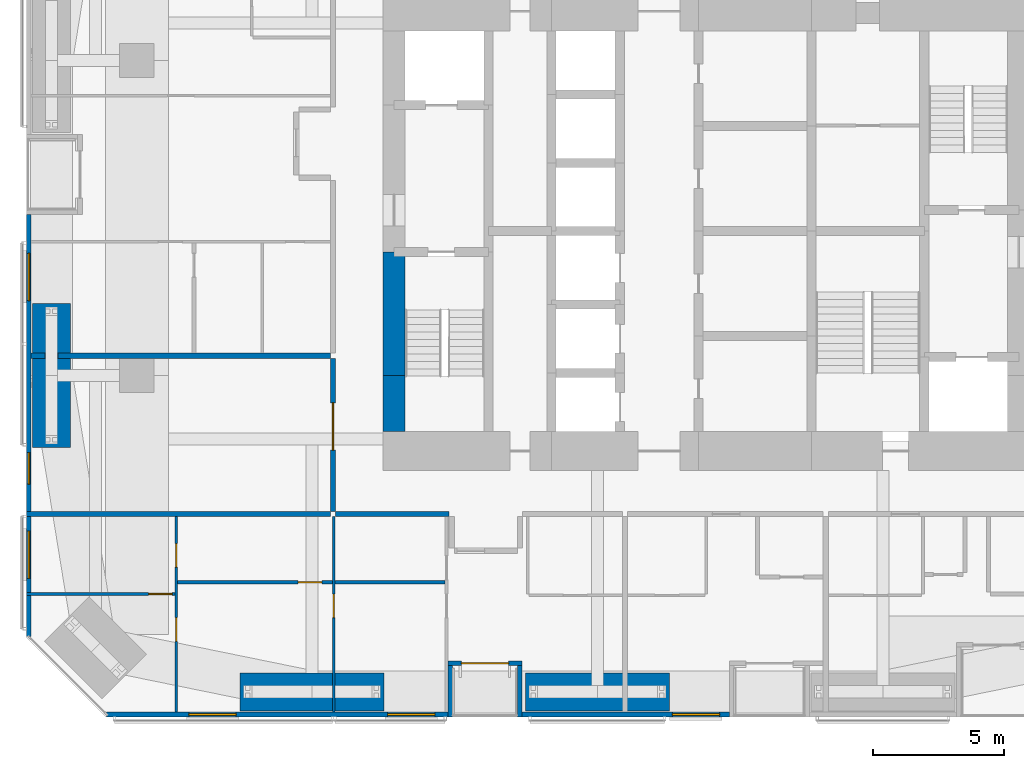
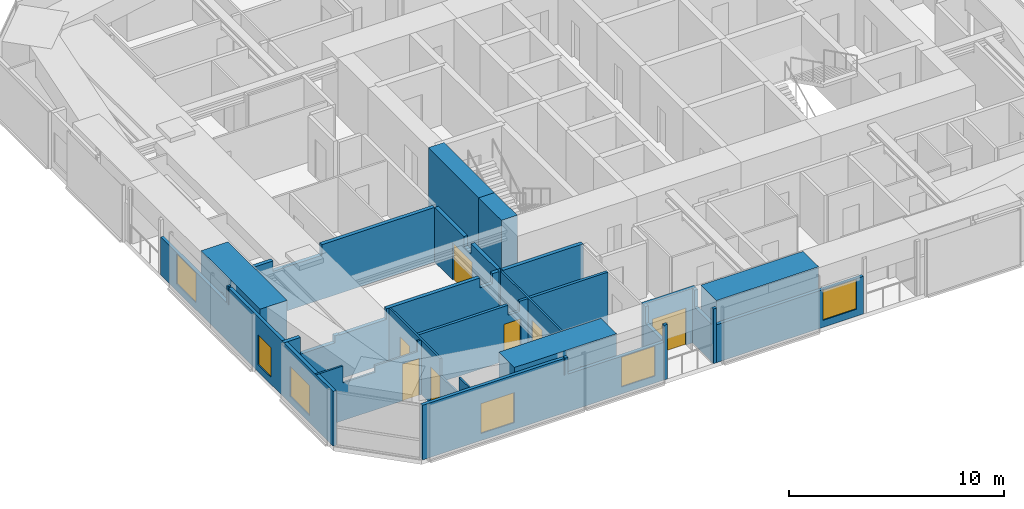
# One storey, part 17 of 25: 20 walls, 7 doors, 6 windows, 13 openings.
"""IFC4 building model written with IfcOpenShell, lengths in metres."""

from ifc_helpers import new_model, si_unit, direction, frame, frame_2d, origin, place, context, subcontext, project, spatial, polyline, rectangle, outline, extrude, material, layer, layer_set, constituent, constituent_set, type_object, element, fill, save


model = new_model("IFC4")

# Units and contexts
model_context = context("Model", 3, precision=1e-05, world=origin(), true_north=direction((0.0, 1.0)))
body_context = subcontext(model_context, "Body", "Model", "MODEL_VIEW")
ifc_project = project(units=[si_unit("LENGTHUNIT", "METRE"), si_unit("AREAUNIT", "SQUARE_METRE"), si_unit("VOLUMEUNIT", "CUBIC_METRE"), si_unit("PLANEANGLEUNIT", "RADIAN"), si_unit("MASSUNIT", "GRAM", prefix="KILO")], contexts=[model_context])

# Site, building, storey
site_placement = place(None, origin())
site = spatial("IfcSite", under=ifc_project, at=site_placement, CompositionType="ELEMENT")
building_placement = place(site_placement, origin())
building = spatial("IfcBuilding", under=site, at=building_placement, Name="Jalousie Tower", CompositionType="ELEMENT")
storey_placement = place(building_placement, frame((0.0, 0.0, 101.5)))
storey = spatial("IfcBuildingStorey", under=building, at=storey_placement, Name="L27", CompositionType="ELEMENT", Elevation=101.5)

# Wall, opening, door
ifc_material_1 = material(Name="Concrete block ASTM C90", Category="concrete")
ifc_constituent_1 = constituent(ifc_material_1, Name="Body")
ifc_material_2 = material(Name="Render")
ifc_constituent_2 = constituent(ifc_material_2, Name="Finish")
ifc_constituent_set_1 = constituent_set(constituents=[ifc_constituent_1, ifc_constituent_2])
wall_type_1 = type_object("IfcWallType", Name="BATHROOM WALL 150", PredefinedType="PLUMBINGWALL", material=ifc_constituent_set_1)
wall_1_placement = place(storey_placement, frame((11.75, 5.125, 0.0), z_axis=(0.0, 0.0, 1.0), x_axis=(1.0, 0.0, 0.0)))
wall_1 = element("IfcWall", 1, at=wall_1_placement, inside=storey, type_object=wall_type_1, Name="Bathroom Wall 150 L27", PredefinedType="PLUMBINGWALL", context=body_context, shape_type="SweptSolid", body=[
    extrude(outline(polyline([(0.0, 0.0), (5.89990234375, 0.0), (5.89990234375, 3.110107421875), (5.4375, 3.110107421875), (5.4375, 2.541015625), (4.8125, 2.541015625), (4.8125, 3.110107421875), (0.0, 3.110107421875), (0.0, 0.0)])), frame((0.0, 0.074951171875, 0.0), z_axis=(0.0, -1.0, 0.0), x_axis=(1.0, 0.0, 0.0)), (0.0, 0.0, 1.0), 0.14990234375),
])
opening_1_placement = place(wall_1_placement, frame((4.60009765625, 0.0, 0.0)))
opening_1 = element("IfcOpeningElement", 2, at=opening_1_placement, cuts=wall_1, Name="Opening D3", PredefinedType="OPENING", context=body_context, shape_type="SweptSolid", body=[
    extrude(rectangle(XDim=0.89990234375, YDim=2.10009765625, at=frame_2d((0.449951171875, 1.050048828125))), frame((0.0, 0.0849609375, 0.0), z_axis=(0.0, -1.0, 0.0), x_axis=(1.0, 0.0, 0.0)), (0.0, 0.0, 1.0), 0.169921875),
])
ifc_material_3 = material(Name="Timber door", Category="wood")
door_type_1 = type_object("IfcDoorType", Name="BATHROOM DOOR 900", OperationType="SINGLE_SWING_LEFT", PredefinedType="DOOR", material=ifc_material_3)
door_1_placement = place(opening_1_placement, origin())
door_1 = element("IfcDoor", 3, at=door_1_placement, inside=storey, type_object=door_type_1, Name="Apartment 2701 bedroom 2 bathroom door", OperationType="SINGLE_SWING_RIGHT", OverallHeight=2.10009765625, OverallWidth=0.89990234375, PredefinedType="DOOR", context=body_context, shape_type="SweptSolid", body=[
    extrude(rectangle(XDim=0.89990234375, YDim=2.10009765625, at=frame_2d((0.449951171875, 1.050048828125))), frame((0.0, 0.02490234375, 0.0), z_axis=(0.0, -1.0, 0.0), x_axis=(1.0, 0.0, 0.0)), (0.0, 0.0, 1.0), 0.050048828125),
])
fill(opening_1, door_1)

# Walls
wall_2_placement = place(storey_placement, frame((17.75, 5.125, 0.0), z_axis=(0.0, 0.0, 1.0), x_axis=(1.0, 0.0, 0.0)))
element("IfcWall", 4, at=wall_2_placement, inside=storey, type_object=wall_type_1, Name="Bathroom Wall 150 L27", PredefinedType="PLUMBINGWALL", context=body_context, shape_type="SweptSolid", body=[
    extrude(rectangle(XDim=4.199951171875, YDim=0.14990234375, at=frame_2d((2.10009765625, 0.0))), origin(), (0.0, 0.0, 1.0), 3.110107421875),
])
ifc_material_4 = material(Name="Concrete f'c 120 MPa", Category="concrete")
ifc_layer_1 = layer(ifc_material_4, 0.85009765625)
ifc_layer_set_1 = layer_set([ifc_layer_1], Name="Concrete f'c 120 MPa")
wall_type_2 = type_object("IfcWallType", Name="CORE WALL 850", PredefinedType="SHEAR", material=ifc_layer_set_1)
wall_3_placement = place(storey_placement, frame((20.0, 17.699951171875, 0.0), z_axis=(0.0, 0.0, 1.0), x_axis=(0.0, -1.0, 0.0)))
element("IfcWall", 5, at=wall_3_placement, inside=storey, type_object=wall_type_2, Name="Core wall WC L27", PredefinedType="SHEAR", context=body_context, shape_type="SweptSolid", body=[
    extrude(rectangle(XDim=4.699951171875, YDim=0.85009765625, at=frame_2d((2.35009765625, 0.0))), origin(), (0.0, 0.0, 1.0), 3.35009765625),
])
wall_4_placement = place(storey_placement, frame((20.0, 13.0, 0.0), z_axis=(0.0, 0.0, 1.0), x_axis=(0.0, -1.0, 0.0)))
element("IfcWall", 6, at=wall_4_placement, inside=storey, type_object=wall_type_2, Name="Core wall WD L27", PredefinedType="SHEAR", context=body_context, shape_type="SweptSolid", body=[
    extrude(rectangle(XDim=2.125, YDim=0.85009765625, at=frame_2d((1.0625, 0.0))), origin(), (0.0, 0.0, 1.0), 3.35009765625),
])
ifc_material_5 = material(Name="Concrete block ASTM C90", Category="concrete")
ifc_constituent_3 = constituent(ifc_material_5, Name="Body")
ifc_material_6 = material(Name="Render")
ifc_constituent_4 = constituent(ifc_material_6, Name="Finish")
ifc_constituent_set_2 = constituent_set(constituents=[ifc_constituent_3, ifc_constituent_4])
wall_type_3 = type_object("IfcWallType", Name="CORRIDOR WALL 200", PredefinedType="PARTITIONING", material=ifc_constituent_set_2)
wall_5_placement = place(storey_placement, frame((17.77490234375, 7.72509765625, 0.0), z_axis=(0.0, 0.0, 1.0), x_axis=(1.0, 0.0, 0.0)))
element("IfcWall", 7, at=wall_5_placement, inside=storey, type_object=wall_type_3, Name="Corridor Wall 200 L27", PredefinedType="PARTITIONING", context=body_context, shape_type="SweptSolid", body=[
    extrude(rectangle(XDim=4.3251953125, YDim=0.199951171875, at=frame_2d((2.16259765625, 0.0))), origin(), (0.0, 0.0, 1.0), 3.110107421875),
])

# Wall, opening, door
wall_6_placement = place(storey_placement, frame((17.675048828125, 7.824951171875, 0.0), z_axis=(0.0, 0.0, 1.0), x_axis=(0.0, 1.0, 0.0)))
wall_6 = element("IfcWall", 8, at=wall_6_placement, inside=storey, type_object=wall_type_3, Name="Corridor Wall 200 L27", PredefinedType="PARTITIONING", context=body_context, shape_type="SweptSolid", body=[
    extrude(outline(polyline([(0.0, 0.0), (5.824951171875, 0.0), (5.824951171875, 3.110107421875), (3.08740234375, 3.110107421875), (3.08740234375, 2.541015625), (2.41259765625, 2.541015625), (2.41259765625, 3.110107421875), (0.0, 3.110107421875), (0.0, 0.0)])), frame((0.0, 0.10009765625, 0.0), z_axis=(0.0, -1.0, 0.0), x_axis=(1.0, 0.0, 0.0)), (0.0, 0.0, 1.0), 0.199951171875),
])
opening_2_placement = place(wall_6_placement, frame((2.33740234375, 0.0, 0.0)))
opening_2 = element("IfcOpeningElement", 9, at=opening_2_placement, cuts=wall_6, Name="Opening D22", PredefinedType="OPENING", context=body_context, shape_type="SweptSolid", body=[
    extrude(rectangle(XDim=1.800048828125, YDim=2.10009765625, at=frame_2d((0.89990234375, 1.050048828125))), frame((0.0, 0.10986328125, 0.0), z_axis=(0.0, -1.0, 0.0), x_axis=(1.0, 0.0, 0.0)), (0.0, 0.0, 1.0), 0.219970703125),
])
ifc_material_7 = material(Name="Timber fire door", Category="wood")
door_type_2 = type_object("IfcDoorType", Name="CORRIDOR DOUBLE DOOR 1800", OperationType="DOUBLE_DOOR_SINGLE_SWING", PredefinedType="DOOR", material=ifc_material_7)
door_2_placement = place(opening_2_placement, origin())
door_2 = element("IfcDoor", 10, at=door_2_placement, inside=storey, type_object=door_type_2, Name="Residents' co-working room door", OperationType="DOUBLE_DOOR_SINGLE_SWING", OverallHeight=2.10009765625, OverallWidth=1.800048828125, PredefinedType="DOOR", context=body_context, shape_type="SweptSolid", body=[
    extrude(rectangle(XDim=1.800048828125, YDim=2.10009765625, at=frame_2d((0.89990234375, 1.050048828125))), frame((0.0, 0.02490234375, 0.0), z_axis=(0.0, -1.0, 0.0), x_axis=(1.0, 0.0, 0.0)), (0.0, 0.0, 1.0), 0.050048828125),
])
fill(opening_2, door_2)

# Wall, openings, windows
ifc_material_8 = material(Name="Concrete f'c 40 MPa", Category="concrete")
ifc_constituent_5 = constituent(ifc_material_8, Name="Body")
ifc_material_9 = material(Name="Render, pastel sea green")
ifc_constituent_6 = constituent(ifc_material_9, Name="Finish")
ifc_constituent_set_3 = constituent_set(constituents=[ifc_constituent_5, ifc_constituent_6])
wall_type_4 = type_object("IfcWallType", Name="EXTERNAL WALL 175 SEA GREEN RENDER", PredefinedType="SOLIDWALL", material=ifc_constituent_set_3)
wall_7_placement = place(storey_placement, frame((9.05126953125, 0.08740234375, 0.0), z_axis=(0.0, 0.0, 1.0), x_axis=(1.0, 0.0, 0.0)))
wall_7 = element("IfcWall", 11, at=wall_7_placement, inside=storey, type_object=wall_type_4, Name="External Wall 175 Sea Green Render L27", PredefinedType="SOLIDWALL", context=body_context, shape_type="SweptSolid", body=[
    extrude(outline(polyline([(0.0, 0.0), (12.998779296875, 0.0), (12.998779296875, 2.14990234375), (7.82373046875, 2.14990234375), (7.82373046875, 3.110107421875), (7.66552734375, 3.110107421875), (7.66552734375, 2.14990234375), (7.620361328125, 2.14990234375), (7.620361328125, 3.110107421875), (0.0, 3.110107421875), (0.0, 0.0)])), frame((0.0, 0.08740234375, 0.0), z_axis=(0.0, -1.0, 0.0), x_axis=(1.0, 0.0, 0.0)), (0.0, 0.0, 1.0), 0.175048828125),
])
opening_3_placement = place(wall_7_placement, frame((3.1337890625, 0.0, 0.39990234375)))
opening_3 = element("IfcOpeningElement", 12, at=opening_3_placement, cuts=wall_7, Name="Opening W-BED170", PredefinedType="OPENING", context=body_context, shape_type="SweptSolid", body=[
    extrude(rectangle(XDim=1.800048828125, YDim=1.699951171875, at=frame_2d((0.89990234375, 0.85009765625))), frame((0.0, 0.097412109375, 0.0), z_axis=(0.0, -1.0, 0.0), x_axis=(1.0, 0.0, 0.0)), (0.0, 0.0, 1.0), 0.195068359375),
])
opening_4_placement = place(wall_7_placement, frame((10.706298828125, 0.0, 0.39990234375)))
opening_4 = element("IfcOpeningElement", 13, at=opening_4_placement, cuts=wall_7, Name="Opening W-BED170", PredefinedType="OPENING", context=body_context, shape_type="SweptSolid", body=[
    extrude(rectangle(XDim=1.800048828125, YDim=1.699951171875, at=frame_2d((0.89990234375, 0.85009765625))), frame((0.0, 0.097412109375, 0.0), z_axis=(0.0, -1.0, 0.0), x_axis=(1.0, 0.0, 0.0)), (0.0, 0.0, 1.0), 0.195068359375),
])
ifc_material_10 = material(Name="Aluminium frame, impact-rated glazing", Category="aluminium")
window_type_1 = type_object("IfcWindowType", Name="WINDOW BED 1800x1700", PartitioningType="SINGLE_PANEL", PredefinedType="WINDOW", material=ifc_material_10)
window_1_placement = place(opening_3_placement, origin())
window_1 = element("IfcWindow", 14, at=window_1_placement, inside=storey, type_object=window_type_1, Name="Apartment 2701 bedroom 2 window", OverallHeight=1.699951171875, OverallWidth=1.800048828125, PartitioningType="SINGLE_PANEL", PredefinedType="WINDOW", context=body_context, shape_type="SweptSolid", body=[
    extrude(rectangle(XDim=1.800048828125, YDim=1.699951171875, at=frame_2d((0.89990234375, 0.85009765625))), frame((0.0, 0.030029296875, 0.0), z_axis=(0.0, -1.0, 0.0), x_axis=(1.0, 0.0, 0.0)), (0.0, 0.0, 1.0), 0.06005859375),
])
fill(opening_3, window_1)
window_2_placement = place(opening_4_placement, origin())
window_2 = element("IfcWindow", 15, at=window_2_placement, inside=storey, type_object=window_type_1, Name="Apartment 2701 bedroom 3 window", OverallHeight=1.699951171875, OverallWidth=1.800048828125, PartitioningType="SINGLE_PANEL", PredefinedType="WINDOW", context=body_context, shape_type="SweptSolid", body=[
    extrude(rectangle(XDim=1.800048828125, YDim=1.699951171875, at=frame_2d((0.89990234375, 0.85009765625))), frame((0.0, 0.030029296875, 0.0), z_axis=(0.0, -1.0, 0.0), x_axis=(1.0, 0.0, 0.0)), (0.0, 0.0, 1.0), 0.06005859375),
])
fill(opening_4, window_2)

# Wall, opening, window
wall_8_placement = place(storey_placement, frame((24.875, 0.08740234375, 0.0), z_axis=(0.0, 0.0, 1.0), x_axis=(1.0, 0.0, 0.0)))
wall_8 = element("IfcWall", 16, at=wall_8_placement, inside=storey, type_object=wall_type_4, Name="External Wall 175 Sea Green Render L27", PredefinedType="SOLIDWALL", context=body_context, shape_type="SweptSolid", body=[
    extrude(rectangle(XDim=7.89990234375, YDim=0.175048828125, at=frame_2d((3.949951171875, 0.0))), origin(), (0.0, 0.0, 1.0), 2.14990234375),
])
opening_5_placement = place(wall_8_placement, frame((5.72509765625, 0.0, 0.39990234375)))
opening_5 = element("IfcOpeningElement", 17, at=opening_5_placement, cuts=wall_8, Name="Opening W-BED170", PredefinedType="OPENING", context=body_context, shape_type="SweptSolid", body=[
    extrude(rectangle(XDim=1.800048828125, YDim=1.699951171875, at=frame_2d((0.89990234375, 0.85009765625))), frame((0.0, 0.097412109375, 0.0), z_axis=(0.0, -1.0, 0.0), x_axis=(1.0, 0.0, 0.0)), (0.0, 0.0, 1.0), 0.195068359375),
])
window_3_placement = place(opening_5_placement, origin())
window_3 = element("IfcWindow", 18, at=window_3_placement, inside=storey, type_object=window_type_1, Name="Apartment 2702 studio living and sleeping room window", OverallHeight=1.699951171875, OverallWidth=1.800048828125, PartitioningType="SINGLE_PANEL", PredefinedType="WINDOW", context=body_context, shape_type="SweptSolid", body=[
    extrude(rectangle(XDim=1.800048828125, YDim=1.699951171875, at=frame_2d((0.89990234375, 0.85009765625))), frame((0.0, 0.030029296875, 0.0), z_axis=(0.0, -1.0, 0.0), x_axis=(1.0, 0.0, 0.0)), (0.0, 0.0, 1.0), 0.06005859375),
])
fill(opening_5, window_3)

# Wall, opening, door
wall_9_placement = place(storey_placement, frame((22.050048828125, 2.03759765625, 0.0), z_axis=(0.0, 0.0, 1.0), x_axis=(1.0, 0.0, 0.0)))
wall_9 = element("IfcWall", 19, at=wall_9_placement, inside=storey, type_object=wall_type_4, Name="External Wall 175 Sea Green Render L27", PredefinedType="SOLIDWALL", context=body_context, shape_type="SweptSolid", body=[
    extrude(rectangle(XDim=2.824951171875, YDim=0.175048828125, at=frame_2d((1.41259765625, 0.0))), origin(), (0.0, 0.0, 1.0), 3.110107421875),
])
opening_6_placement = place(wall_9_placement, frame((0.512451171875, 0.0, 0.0)))
opening_6 = element("IfcOpeningElement", 20, at=opening_6_placement, cuts=wall_9, Name="Opening D-BAL21", PredefinedType="OPENING", context=body_context, shape_type="SweptSolid", body=[
    extrude(rectangle(XDim=1.800048828125, YDim=2.10009765625, at=frame_2d((0.89990234375, 1.050048828125))), frame((0.0, 0.097412109375, 0.0), z_axis=(0.0, -1.0, 0.0), x_axis=(1.0, 0.0, 0.0)), (0.0, 0.0, 1.0), 0.195068359375),
])
ifc_material_11 = material(Name="Aluminium frame, impact-rated glazing", Category="aluminium")
door_type_3 = type_object("IfcDoorType", Name="BALCONY DOOR 1800x2100", OperationType="SLIDING_TO_LEFT", PredefinedType="DOOR", material=ifc_material_11)
door_3_placement = place(opening_6_placement, origin())
door_3 = element("IfcDoor", 21, at=door_3_placement, inside=storey, type_object=door_type_3, Name="Apartment 2701 living and dining room loggia door", OperationType="SLIDING_TO_LEFT", OverallHeight=2.10009765625, OverallWidth=1.800048828125, PredefinedType="DOOR", context=body_context, shape_type="SweptSolid", body=[
    extrude(rectangle(XDim=1.800048828125, YDim=2.10009765625, at=frame_2d((0.89990234375, 1.050048828125))), frame((0.0, 0.02490234375, 0.0), z_axis=(0.0, -1.0, 0.0), x_axis=(1.0, 0.0, 0.0)), (0.0, 0.0, 1.0), 0.050048828125),
])
fill(opening_6, door_3)

# Walls
for number, where, z_axis, x_axis, name in (
    (22, (22.137451171875, 0.0, 0.0), (0.0, 0.0, 1.0), (0.0, 1.0, 0.0), "External Wall 175 Sea Green Render L27"),
    (23, (24.78759765625, 0.0, 0.0), (0.0, 0.0, 1.0), (0.0, 1.0, 0.0), "External Wall 175 Sea Green Render L27"),
):
    element("IfcWall", number, at=place(storey_placement, frame(where, z_axis=z_axis, x_axis=x_axis)), inside=storey, type_object=wall_type_4, Name=name, PredefinedType="SOLIDWALL", context=body_context, shape_type="SweptSolid", body=[
        extrude(outline(polyline([(0.0, 0.0), (1.949951171875, 0.0), (1.949951171875, 3.110107421875), (1.75, 3.110107421875), (1.75, 2.14990234375), (0.14990234375, 2.14990234375), (0.14990234375, 3.110107421875), (0.0, 3.110107421875), (0.0, 0.0)])), frame((0.0, 0.08740234375, 0.0), z_axis=(0.0, -1.0, 0.0), x_axis=(1.0, 0.0, 0.0)), (0.0, 0.0, 1.0), 0.175048828125),
    ])

# Wall, openings, windows
wall_10_placement = place(storey_placement, frame((6.08740234375, 19.137451171875, 0.0), z_axis=(0.0, 0.0, 1.0), x_axis=(0.0, -1.0, 0.0)))
wall_10 = element("IfcWall", 24, at=wall_10_placement, inside=storey, type_object=wall_type_4, Name="External Wall 175 Sea Green Render L27", PredefinedType="SOLIDWALL", context=body_context, shape_type="SweptSolid", body=[
    extrude(outline(polyline([(0.0, 0.0), (16.086181640625, 0.0), (16.086181640625, 3.110107421875), (6.356201171875, 3.110107421875), (6.356201171875, 2.14990234375), (6.26318359375, 2.14990234375), (6.26318359375, 3.110107421875), (6.137451171875, 3.110107421875), (6.137451171875, 2.14990234375), (0.0, 2.14990234375), (0.0, 0.0)])), frame((0.0, 0.08740234375, 0.0), z_axis=(0.0, -1.0, 0.0), x_axis=(1.0, 0.0, 0.0)), (0.0, 0.0, 1.0), 0.175048828125),
])
opening_7_placement = place(wall_10_placement, frame((1.481201171875, 0.0, 0.39990234375)))
opening_7 = element("IfcOpeningElement", 25, at=opening_7_placement, cuts=wall_10, Name="Opening W-BED170", PredefinedType="OPENING", context=body_context, shape_type="SweptSolid", body=[
    extrude(rectangle(XDim=1.800048828125, YDim=1.699951171875, at=frame_2d((0.89990234375, 0.85009765625))), frame((0.0, 0.097412109375, 0.0), z_axis=(0.0, -1.0, 0.0), x_axis=(1.0, 0.0, 0.0)), (0.0, 0.0, 1.0), 0.195068359375),
])
opening_8_placement = place(wall_10_placement, frame((9.07568359375, 0.0, 0.39990234375)))
opening_8 = element("IfcOpeningElement", 26, at=opening_8_placement, cuts=wall_10, Name="Opening W-COR170", PredefinedType="OPENING", context=body_context, shape_type="SweptSolid", body=[
    extrude(rectangle(XDim=1.199951171875, YDim=1.699951171875, at=frame_2d((0.60009765625, 0.85009765625))), frame((0.0, 0.097412109375, 0.0), z_axis=(0.0, -1.0, 0.0), x_axis=(1.0, 0.0, 0.0)), (0.0, 0.0, 1.0), 0.195068359375),
])
opening_9_placement = place(wall_10_placement, frame((12.06201171875, 0.0, 0.39990234375)))
opening_9 = element("IfcOpeningElement", 27, at=opening_9_placement, cuts=wall_10, Name="Opening W-BED170", PredefinedType="OPENING", context=body_context, shape_type="SweptSolid", body=[
    extrude(rectangle(XDim=1.800048828125, YDim=1.699951171875, at=frame_2d((0.89990234375, 0.85009765625))), frame((0.0, 0.097412109375, 0.0), z_axis=(0.0, -1.0, 0.0), x_axis=(1.0, 0.0, 0.0)), (0.0, 0.0, 1.0), 0.195068359375),
])
window_4_placement = place(opening_7_placement, origin())
window_4 = element("IfcWindow", 28, at=window_4_placement, inside=storey, type_object=window_type_1, Name="Apartment 2707 bedroom 1 window", OverallHeight=1.699951171875, OverallWidth=1.800048828125, PartitioningType="SINGLE_PANEL", PredefinedType="WINDOW", context=body_context, shape_type="SweptSolid", body=[
    extrude(rectangle(XDim=1.800048828125, YDim=1.699951171875, at=frame_2d((0.89990234375, 0.85009765625))), frame((0.0, 0.030029296875, 0.0), z_axis=(0.0, -1.0, 0.0), x_axis=(1.0, 0.0, 0.0)), (0.0, 0.0, 1.0), 0.06005859375),
])
fill(opening_7, window_4)
window_5_placement = place(opening_9_placement, origin())
window_5 = element("IfcWindow", 29, at=window_5_placement, inside=storey, type_object=window_type_1, Name="Apartment 2701 bedroom 1 window", OverallHeight=1.699951171875, OverallWidth=1.800048828125, PartitioningType="SINGLE_PANEL", PredefinedType="WINDOW", context=body_context, shape_type="SweptSolid", body=[
    extrude(rectangle(XDim=1.800048828125, YDim=1.699951171875, at=frame_2d((0.89990234375, 0.85009765625))), frame((0.0, 0.030029296875, 0.0), z_axis=(0.0, -1.0, 0.0), x_axis=(1.0, 0.0, 0.0)), (0.0, 0.0, 1.0), 0.06005859375),
])
fill(opening_9, window_5)
ifc_material_12 = material(Name="Aluminium frame, impact-rated glazing", Category="aluminium")
window_type_2 = type_object("IfcWindowType", Name="WINDOW COR 1200x1700", PartitioningType="SINGLE_PANEL", PredefinedType="WINDOW", material=ifc_material_12)
window_6_placement = place(opening_8_placement, origin())
window_6 = element("IfcWindow", 30, at=window_6_placement, inside=storey, type_object=window_type_2, Name="Residents' co-working room window", OverallHeight=1.699951171875, OverallWidth=1.199951171875, PartitioningType="SINGLE_PANEL", PredefinedType="WINDOW", context=body_context, shape_type="SweptSolid", body=[
    extrude(rectangle(XDim=1.199951171875, YDim=1.699951171875, at=frame_2d((0.60009765625, 0.85009765625))), frame((0.0, 0.030029296875, 0.0), z_axis=(0.0, -1.0, 0.0), x_axis=(1.0, 0.0, 0.0)), (0.0, 0.0, 1.0), 0.06005859375),
])
fill(opening_8, window_6)

# Wall, openings, doors
ifc_material_13 = material(Name="Gypsum board", Category="gypsum")
ifc_constituent_7 = constituent(ifc_material_13, Name="Body")
ifc_material_14 = material(Name="Light-gauge steel studs ASTM A653 SS Grade 33", Category="steel")
ifc_constituent_8 = constituent(ifc_material_14, Name="Framing")
ifc_constituent_set_4 = constituent_set(constituents=[ifc_constituent_7, ifc_constituent_8])
wall_type_5 = type_object("IfcWallType", Name="PARTITION 100", PredefinedType="PARTITIONING", material=ifc_constituent_set_4)
wall_11_placement = place(storey_placement, frame((11.699951171875, 0.175048828125, 0.0), z_axis=(0.0, 0.0, 1.0), x_axis=(0.0, 1.0, 0.0)))
wall_11 = element("IfcWall", 31, at=wall_11_placement, inside=storey, type_object=wall_type_5, Name="Partition 100 L27", PredefinedType="PARTITIONING", context=body_context, shape_type="SweptSolid", body=[
    extrude(outline(polyline([(0.0, 0.0), (7.449951171875, 0.0), (7.449951171875, 3.110107421875), (2.708251953125, 3.110107421875), (2.708251953125, 2.14990234375), (0.952880859375, 2.14990234375), (0.952880859375, 3.110107421875), (0.0, 3.110107421875), (0.0, 0.0)])), frame((0.0, 0.050048828125, 0.0), z_axis=(0.0, -1.0, 0.0), x_axis=(1.0, 0.0, 0.0)), (0.0, 0.0, 1.0), 0.10009765625),
])
opening_10_placement = place(wall_11_placement, frame((2.700927734375, 0.0, 0.0)))
opening_10 = element("IfcOpeningElement", 32, at=opening_10_placement, cuts=wall_11, Name="Opening D2", PredefinedType="OPENING", context=body_context, shape_type="SweptSolid", body=[
    extrude(rectangle(XDim=0.89990234375, YDim=2.10009765625, at=frame_2d((0.449951171875, 1.050048828125))), frame((0.0, 0.06005859375, 0.0), z_axis=(0.0, -1.0, 0.0), x_axis=(1.0, 0.0, 0.0)), (0.0, 0.0, 1.0), 0.1201171875),
])
opening_11_placement = place(wall_11_placement, frame((5.525390625, 0.0, 0.0)))
opening_11 = element("IfcOpeningElement", 33, at=opening_11_placement, cuts=wall_11, Name="Opening D3", PredefinedType="OPENING", context=body_context, shape_type="SweptSolid", body=[
    extrude(rectangle(XDim=0.89990234375, YDim=2.10009765625, at=frame_2d((0.449951171875, 1.050048828125))), frame((0.0, 0.06005859375, 0.0), z_axis=(0.0, -1.0, 0.0), x_axis=(1.0, 0.0, 0.0)), (0.0, 0.0, 1.0), 0.1201171875),
])
door_4_placement = place(opening_11_placement, frame((0.89990234375, 0.0, 0.0), z_axis=(0.0, 0.0, 1.0), x_axis=(-1.0, 0.0, 0.0)))
door_4 = element("IfcDoor", 34, at=door_4_placement, inside=storey, type_object=door_type_1, Name="Apartment 2701 bedroom 1 bathroom door", OperationType="SINGLE_SWING_RIGHT", OverallHeight=2.10009765625, OverallWidth=0.89990234375, PredefinedType="DOOR", context=body_context, shape_type="SweptSolid", body=[
    extrude(rectangle(XDim=0.89990234375, YDim=2.10009765625, at=frame_2d((0.449951171875, 1.050048828125))), frame((0.0, 0.02490234375, 0.0), z_axis=(0.0, -1.0, 0.0), x_axis=(1.0, 0.0, 0.0)), (0.0, 0.0, 1.0), 0.050048828125),
])
fill(opening_11, door_4)
ifc_material_15 = material(Name="Timber door", Category="wood")
door_type_4 = type_object("IfcDoorType", Name="BEDROOM DOOR 900", OperationType="SINGLE_SWING_LEFT", PredefinedType="DOOR", material=ifc_material_15)
door_5_placement = place(opening_10_placement, frame((0.89990234375, 0.0, 0.0), z_axis=(0.0, 0.0, 1.0), x_axis=(-1.0, 0.0, 0.0)))
door_5 = element("IfcDoor", 35, at=door_5_placement, inside=storey, type_object=door_type_4, Name="Apartment 2701 bedroom 1 door", OperationType="SINGLE_SWING_LEFT", OverallHeight=2.10009765625, OverallWidth=0.89990234375, PredefinedType="DOOR", context=body_context, shape_type="SweptSolid", body=[
    extrude(rectangle(XDim=0.89990234375, YDim=2.10009765625, at=frame_2d((0.449951171875, 1.050048828125))), frame((0.0, 0.02490234375, 0.0), z_axis=(0.0, -1.0, 0.0), x_axis=(1.0, 0.0, 0.0)), (0.0, 0.0, 1.0), 0.050048828125),
])
fill(opening_10, door_5)

# Wall, opening, door
wall_12_placement = place(storey_placement, frame((17.699951171875, 0.175048828125, 0.0), z_axis=(0.0, 0.0, 1.0), x_axis=(0.0, 1.0, 0.0)))
wall_12 = element("IfcWall", 36, at=wall_12_placement, inside=storey, type_object=wall_type_5, Name="Partition 100 L27", PredefinedType="PARTITIONING", context=body_context, shape_type="SweptSolid", body=[
    extrude(outline(polyline([(1.635009765625, 2.14990234375), (0.0, 2.14990234375), (0.0, 0.0), (7.449951171875, 0.0), (7.449951171875, 3.110107421875), (1.635009765625, 3.110107421875), (1.635009765625, 2.14990234375)]), holes=[polyline([(1.021240234375, 0.115966796875), (0.52880859375, 0.115966796875), (0.52880859375, 0.906005859375), (1.021240234375, 0.906005859375), (1.021240234375, 0.115966796875)]), polyline([(1.021240234375, 1.244140625), (0.52880859375, 1.244140625), (0.52880859375, 2.033935546875), (1.021240234375, 2.033935546875), (1.021240234375, 1.244140625)])]), frame((0.0, 0.050048828125, 0.0), z_axis=(0.0, -1.0, 0.0), x_axis=(1.0, 0.0, 0.0)), (0.0, 0.0, 1.0), 0.10009765625),
])
opening_12_placement = place(wall_12_placement, frame((3.60009765625, 0.0, 0.0)))
opening_12 = element("IfcOpeningElement", 37, at=opening_12_placement, cuts=wall_12, Name="Opening D2", PredefinedType="OPENING", context=body_context, shape_type="SweptSolid", body=[
    extrude(rectangle(XDim=0.89990234375, YDim=2.10009765625, at=frame_2d((0.449951171875, 1.050048828125))), frame((0.0, 0.06005859375, 0.0), z_axis=(0.0, -1.0, 0.0), x_axis=(1.0, 0.0, 0.0)), (0.0, 0.0, 1.0), 0.1201171875),
])
door_6_placement = place(opening_12_placement, origin())
door_6 = element("IfcDoor", 38, at=door_6_placement, inside=storey, type_object=door_type_4, Name="Apartment 2701 bedroom 2 door", OperationType="SINGLE_SWING_RIGHT", OverallHeight=2.10009765625, OverallWidth=0.89990234375, PredefinedType="DOOR", context=body_context, shape_type="SweptSolid", body=[
    extrude(rectangle(XDim=0.89990234375, YDim=2.10009765625, at=frame_2d((0.449951171875, 1.050048828125))), frame((0.0, 0.02490234375, 0.0), z_axis=(0.0, -1.0, 0.0), x_axis=(1.0, 0.0, 0.0)), (0.0, 0.0, 1.0), 0.050048828125),
])
fill(opening_12, door_6)

wall_13_placement = place(storey_placement, frame((6.0, 4.67578125, 0.0), z_axis=(0.0, 0.0, 1.0), x_axis=(1.0, 0.0, 0.0)))
wall_13 = element("IfcWall", 39, at=wall_13_placement, inside=storey, type_object=wall_type_5, Name="Partition 100 L27", PredefinedType="PARTITIONING", context=body_context, shape_type="SweptSolid", body=[
    extrude(outline(polyline([(0.0, 0.0), (5.64990234375, 0.0), (5.64990234375, 3.110107421875), (5.4599609375, 3.110107421875), (5.4599609375, 2.510009765625), (3.171142578125, 2.510009765625), (3.171142578125, 2.14990234375), (1.4287109375, 2.14990234375), (1.4287109375, 3.110107421875), (0.0, 3.110107421875), (0.0, 0.0)])), frame((0.0, 0.050048828125, 0.0), z_axis=(0.0, -1.0, 0.0), x_axis=(1.0, 0.0, 0.0)), (0.0, 0.0, 1.0), 0.10009765625),
])
opening_13_placement = place(wall_13_placement, frame((4.64990234375, 0.0, 0.0)))
opening_13 = element("IfcOpeningElement", 40, at=opening_13_placement, cuts=wall_13, Name="Opening D7", PredefinedType="OPENING", context=body_context, shape_type="SweptSolid", body=[
    extrude(rectangle(XDim=0.89990234375, YDim=2.10009765625, at=frame_2d((0.449951171875, 1.050048828125))), frame((0.0, 0.06005859375, 0.0), z_axis=(0.0, -1.0, 0.0), x_axis=(1.0, 0.0, 0.0)), (0.0, 0.0, 1.0), 0.1201171875),
])
ifc_material_16 = material(Name="Timber door", Category="wood")
door_type_5 = type_object("IfcDoorType", Name="INTERNAL DOOR 900", OperationType="SINGLE_SWING_LEFT", PredefinedType="DOOR", material=ifc_material_16)
door_7_placement = place(opening_13_placement, origin())
door_7 = element("IfcDoor", 41, at=door_7_placement, inside=storey, type_object=door_type_5, Name="Apartment 2701 bedroom 1 dressing hall door", OperationType="SINGLE_SWING_RIGHT", OverallHeight=2.10009765625, OverallWidth=0.89990234375, PredefinedType="DOOR", context=body_context, shape_type="SweptSolid", body=[
    extrude(rectangle(XDim=0.89990234375, YDim=2.10009765625, at=frame_2d((0.449951171875, 1.050048828125))), frame((0.0, 0.02490234375, 0.0), z_axis=(0.0, -1.0, 0.0), x_axis=(1.0, 0.0, 0.0)), (0.0, 0.0, 1.0), 0.050048828125),
])
fill(opening_13, door_7)

# Walls
ifc_material_17 = material(Name="Concrete block ASTM C90", Category="concrete")
ifc_constituent_9 = constituent(ifc_material_17, Name="Body")
ifc_material_18 = material(Name="Render")
ifc_constituent_10 = constituent(ifc_material_18, Name="Finish")
ifc_constituent_set_5 = constituent_set(constituents=[ifc_constituent_9, ifc_constituent_10])
wall_type_6 = type_object("IfcWallType", Name="PARTY WALL 200", PredefinedType="PARTITIONING", material=ifc_constituent_set_5)
wall_14_placement = place(storey_placement, frame((6.0, 7.72509765625, 0.0), z_axis=(0.0, 0.0, 1.0), x_axis=(1.0, 0.0, 0.0)))
element("IfcWall", 42, at=wall_14_placement, inside=storey, type_object=wall_type_6, Name="Party Wall 200 L27", PredefinedType="PARTITIONING", context=body_context, shape_type="SweptSolid", body=[
    extrude(outline(polyline([(0.0, 0.0), (11.574951171875, 0.0), (11.574951171875, 3.110107421875), (11.21240234375, 3.110107421875), (11.21240234375, 2.541015625), (10.53759765625, 2.541015625), (10.53759765625, 3.110107421875), (5.510009765625, 3.110107421875), (5.510009765625, 2.510009765625), (2.96875, 2.510009765625), (2.96875, 2.541015625), (2.727294921875, 2.541015625), (2.727294921875, 2.14990234375), (0.883544921875, 2.14990234375), (0.883544921875, 3.110107421875), (0.0, 3.110107421875), (0.0, 0.0)])), frame((0.0, 0.10009765625, 0.0), z_axis=(0.0, -1.0, 0.0), x_axis=(1.0, 0.0, 0.0)), (0.0, 0.0, 1.0), 0.199951171875),
])
wall_15_placement = place(storey_placement, frame((6.175048828125, 13.75, 0.0), z_axis=(0.0, 0.0, 1.0), x_axis=(1.0, 0.0, 0.0)))
element("IfcWall", 43, at=wall_15_placement, inside=storey, type_object=wall_type_6, Name="Party Wall 200 L27", PredefinedType="PARTITIONING", context=body_context, shape_type="SweptSolid", body=[
    extrude(outline(polyline([(1.68505859375, 2.14990234375), (0.0, 2.14990234375), (0.0, 0.0), (11.39990234375, 0.0), (11.39990234375, 3.110107421875), (5.3349609375, 3.110107421875), (5.3349609375, 2.510009765625), (2.715087890625, 2.510009765625), (2.715087890625, 3.110107421875), (1.68505859375, 3.110107421875), (1.68505859375, 2.14990234375)]), holes=[polyline([(1.021240234375, 0.133056640625), (0.52880859375, 0.133056640625), (0.52880859375, 0.991455078125), (1.021240234375, 0.991455078125), (1.021240234375, 0.133056640625)]), polyline([(1.021240234375, 1.15869140625), (0.52880859375, 1.15869140625), (0.52880859375, 2.016845703125), (1.021240234375, 2.016845703125), (1.021240234375, 1.15869140625)])]), frame((0.0, 0.10009765625, 0.0), z_axis=(0.0, -1.0, 0.0), x_axis=(1.0, 0.0, 0.0)), (0.0, 0.0, 1.0), 0.199951171875),
])
ifc_material_19 = material(Name="Concrete f'c 120 MPa", Category="concrete")
ifc_layer_2 = layer(ifc_material_19, 1.449951171875)
ifc_layer_set_2 = layer_set([ifc_layer_2], Name="Concrete f'c 120 MPa")
wall_type_7 = type_object("IfcWallType", Name="RC WALL PIER 1450", PredefinedType="SHEAR", material=ifc_layer_set_2)
for number, where, z_axis, x_axis, name in (
    (44, (14.125, 0.949951171875, 0.0), (0.0, 0.0, 1.0), (1.0, 0.0, 0.0), "Wall pier 02 L27"),
    (45, (25.0, 0.949951171875, 0.0), (0.0, 0.0, 1.0), (1.0, 0.0, 0.0), "Wall pier 03 L27"),
    (46, (6.949951171875, 10.25, 0.0), (0.0, 0.0, 1.0), (0.0, 1.0, 0.0), "Wall pier 14 L27"),
):
    element("IfcWall", number, at=place(storey_placement, frame(where, z_axis=z_axis, x_axis=x_axis)), inside=storey, type_object=wall_type_7, Name=name, PredefinedType="SHEAR", context=body_context, shape_type="SweptSolid", body=[
        extrude(rectangle(XDim=5.5, YDim=1.449951171875, at=frame_2d((2.75, 0.0))), origin(), (0.0, 0.0, 1.0), 3.35009765625),
    ])

save(model, "model.ifc")
